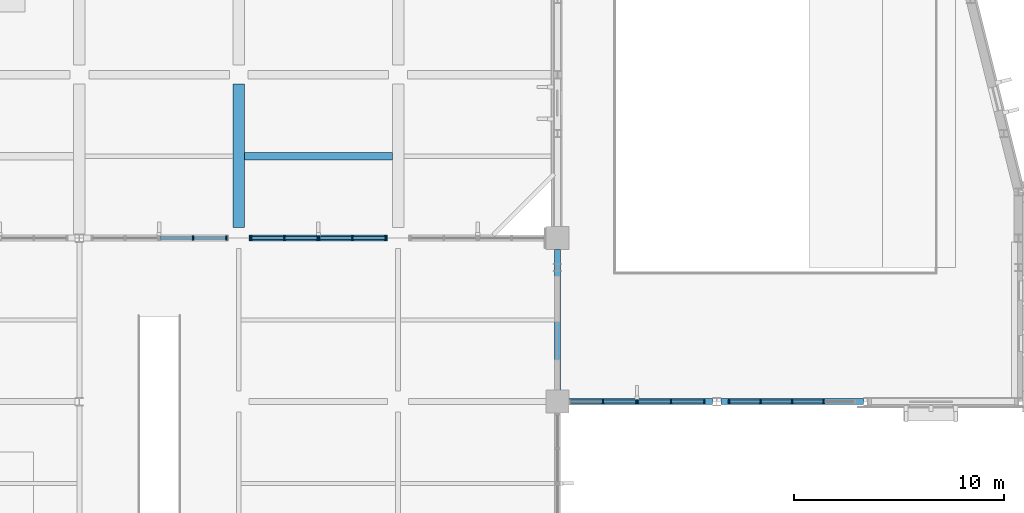
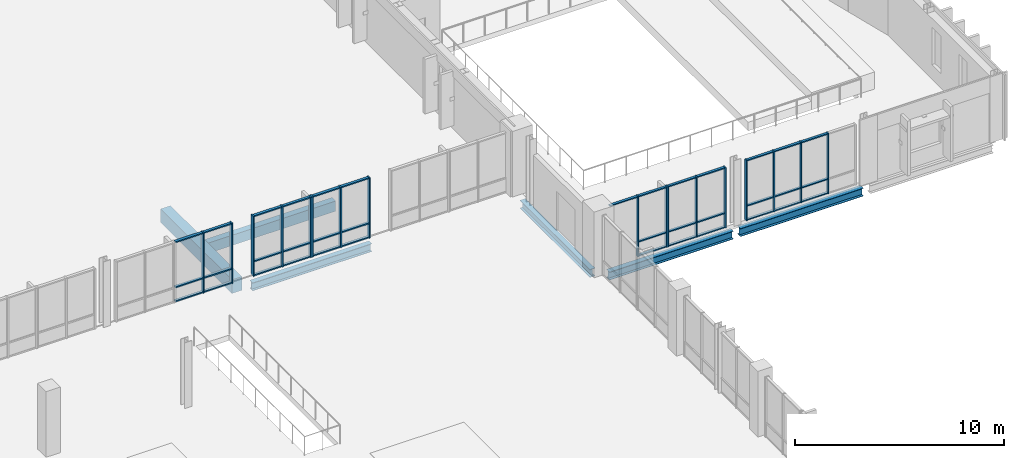
# One storey, part 40 of 85: 54 members, 6 beams, 6 elements without a shape of their own.
"""IFC4 building model written with IfcOpenShell, lengths in metres."""

from ifc_helpers import new_model, si_unit, direction, frame, origin, origin_2d, place, context, subcontext, project, spatial, rectangle, i_section, extrude, material, material_profile, profile_set, type_object, element, aggregate, save


model = new_model("IFC4")

# Units and contexts
model_context = context("Model", 3, precision=1e-05, world=origin(), true_north=direction((0.0, 1.0)))
body_context = subcontext(model_context, "Body", "Model", "MODEL_VIEW")
ifc_project = project(units=[si_unit("LENGTHUNIT", "METRE"), si_unit("AREAUNIT", "SQUARE_METRE"), si_unit("VOLUMEUNIT", "CUBIC_METRE"), si_unit("PLANEANGLEUNIT", "RADIAN"), si_unit("MASSUNIT", "GRAM", prefix="KILO")], contexts=[model_context])

# Site, building, storey
site_placement = place(None, origin())
site = spatial("IfcSite", under=ifc_project, at=site_placement, CompositionType="ELEMENT")
building_placement = place(site_placement, origin())
building = spatial("IfcBuilding", under=site, at=building_placement, Name="Vervanel Yard Central Library", CompositionType="ELEMENT")
storey_placement = place(building_placement, frame((0.0, 0.0, 5.10009765625)))
storey = spatial("IfcBuildingStorey", under=building, at=storey_placement, Name="L01", CompositionType="ELEMENT", Elevation=5.10009765625)

# Beams
ifc_material_1 = material(Name="Concrete C40/50", Category="concrete")
ifc_material_profile_1 = material_profile(ifc_material_1, rectangle(XDim=0.550048828125, YDim=0.800048828125, at=origin_2d()), Name="RC 550x800", Category="concrete")
ifc_profile_set_1 = profile_set([ifc_material_profile_1], Name="Concrete C40/50")
beam_type_1 = type_object("IfcBeamType", Name="Concrete Primary Girder 550x800", PredefinedType="BEAM", material=ifc_profile_set_1)
beam_1_placement = place(storey_placement, frame((130.800048828125, 82.699951171875, -0.655029296875), z_axis=(0.0, 1.0, 0.0), x_axis=(-1.0, 0.0, 0.0)))
element("IfcBeam", 1, at=beam_1_placement, inside=storey, type_object=beam_type_1, Name="L01 Girder CB-02 X=130.8 Y=82.2-90.0", PredefinedType="BEAM", context=body_context, shape_type="SweptSolid", body=[
    extrude(rectangle(XDim=0.550048828125, YDim=0.800048828125, at=origin_2d()), origin(), (0.0, 0.0, 1.0), 6.85009765625),
])
ifc_material_profile_2 = material_profile(ifc_material_1, rectangle(XDim=0.35009765625, YDim=0.60009765625, at=origin_2d()), Name="RC 350x600", Category="concrete")
ifc_profile_set_2 = profile_set([ifc_material_profile_2], Name="Concrete C40/50")
beam_type_2 = type_object("IfcBeamType", Name="Concrete Secondary Joist 350x600", PredefinedType="JOIST", material=ifc_profile_set_2)
beam_2_placement = place(storey_placement, frame((131.074951171875, 86.10009765625, -0.55517578125), z_axis=(1.0, 0.0, 0.0), x_axis=(0.0, 1.0, 0.0)))
element("IfcBeam", 2, at=beam_2_placement, inside=storey, type_object=beam_type_2, Name="L01 Floor Joist CJ-01 Y=86.10 X=130.8-138.4", PredefinedType="JOIST", context=body_context, shape_type="SweptSolid", body=[
    extrude(rectangle(XDim=0.35009765625, YDim=0.60009765625, at=origin_2d()), origin(), (0.0, 0.0, 1.0), 7.050048828125),
])

# Curtain wall, members
ifc_material_2 = material(Name="Thermally broken anodized aluminium 6063-T6", Category="aluminium")
curtain_wall_type_1 = type_object("IfcCurtainWallType", Name="Auditorium Foyer Curtain Wall", PredefinedType="NOTDEFINED", material=ifc_material_2)
curtain_wall_1_placement = place(storey_placement, origin())
curtain_wall_1 = element("IfcCurtainWall", 3, at=curtain_wall_1_placement, inside=storey, type_object=curtain_wall_type_1, Name="L01 Auditorium Foyer Curtain Wall CWR-L01-151", PredefinedType="NOTDEFINED")
ifc_material_profile_3 = material_profile(ifc_material_2, rectangle(XDim=0.06494140625, YDim=0.18994140625, at=origin_2d()), Name="ALU 65x190", Category="aluminium")
ifc_profile_set_3 = profile_set([ifc_material_profile_3], Name="Thermally broken anodized aluminium 6063-T6")
member_type_1 = type_object("IfcMemberType", Name="Curtain Wall Primary Mullion 65x190", PredefinedType="MULLION", material=ifc_profile_set_3)
member_1_placement = place(storey_placement, frame((148.179931640625, 74.39990234375, 0.0), z_axis=(0.0, 0.0, 1.0), x_axis=(1.0, 0.0, 0.0)))
member_1 = element("IfcMember", 4, at=member_1_placement, type_object=member_type_1, Name="CWR-L01-151 Mullion 2", PredefinedType="MULLION", context=body_context, shape_type="SweptSolid", body=[
    extrude(rectangle(XDim=0.06494140625, YDim=0.18994140625, at=origin_2d()), origin(), (0.0, 0.0, 1.0), 3.52978515625),
])
member_2_placement = place(storey_placement, frame((149.767578125, 74.39990234375, 0.0), z_axis=(0.0, 0.0, 1.0), x_axis=(1.0, 0.0, 0.0)))
member_2 = element("IfcMember", 5, at=member_2_placement, type_object=member_type_1, Name="CWR-L01-151 Mullion 3", PredefinedType="MULLION", context=body_context, shape_type="SweptSolid", body=[
    extrude(rectangle(XDim=0.06494140625, YDim=0.18994140625, at=origin_2d()), origin(), (0.0, 0.0, 1.0), 3.52978515625),
])

curtain_wall_2_placement = place(storey_placement, origin())
curtain_wall_2 = element("IfcCurtainWall", 6, at=curtain_wall_2_placement, inside=storey, type_object=curtain_wall_type_1, Name="L01 Auditorium Foyer Curtain Wall CWR-L01-152", PredefinedType="NOTDEFINED")
member_3_placement = place(storey_placement, frame((149.83251953125, 74.39990234375, 0.0), z_axis=(0.0, 0.0, 1.0), x_axis=(1.0, 0.0, 0.0)))
member_3 = element("IfcMember", 7, at=member_3_placement, type_object=member_type_1, Name="CWR-L01-152 Mullion 1", PredefinedType="MULLION", context=body_context, shape_type="SweptSolid", body=[
    extrude(rectangle(XDim=0.06494140625, YDim=0.18994140625, at=origin_2d()), origin(), (0.0, 0.0, 1.0), 3.52978515625),
])
member_4_placement = place(storey_placement, frame((151.419921875, 74.39990234375, 0.0), z_axis=(0.0, 0.0, 1.0), x_axis=(1.0, 0.0, 0.0)))
member_4 = element("IfcMember", 8, at=member_4_placement, type_object=member_type_1, Name="CWR-L01-152 Mullion 2", PredefinedType="MULLION", context=body_context, shape_type="SweptSolid", body=[
    extrude(rectangle(XDim=0.06494140625, YDim=0.18994140625, at=origin_2d()), origin(), (0.0, 0.0, 1.0), 3.52978515625),
])
member_5_placement = place(storey_placement, frame((153.007568359375, 74.39990234375, 0.0), z_axis=(0.0, 0.0, 1.0), x_axis=(1.0, 0.0, 0.0)))
member_5 = element("IfcMember", 9, at=member_5_placement, type_object=member_type_1, Name="CWR-L01-152 Mullion 3", PredefinedType="MULLION", context=body_context, shape_type="SweptSolid", body=[
    extrude(rectangle(XDim=0.06494140625, YDim=0.18994140625, at=origin_2d()), origin(), (0.0, 0.0, 1.0), 3.52978515625),
])

curtain_wall_3_placement = place(storey_placement, origin())
curtain_wall_3 = element("IfcCurtainWall", 10, at=curtain_wall_3_placement, inside=storey, type_object=curtain_wall_type_1, Name="L01 Auditorium Foyer Curtain Wall CWR-L01-153", PredefinedType="NOTDEFINED")
member_6_placement = place(storey_placement, frame((154.1923828125, 74.39990234375, 0.0), z_axis=(0.0, 0.0, 1.0), x_axis=(1.0, 0.0, 0.0)))
member_6 = element("IfcMember", 11, at=member_6_placement, type_object=member_type_1, Name="CWR-L01-153 Mullion 1", PredefinedType="MULLION", context=body_context, shape_type="SweptSolid", body=[
    extrude(rectangle(XDim=0.06494140625, YDim=0.18994140625, at=origin_2d()), origin(), (0.0, 0.0, 1.0), 3.52978515625),
])
member_7_placement = place(storey_placement, frame((155.6962890625, 74.39990234375, 0.0), z_axis=(0.0, 0.0, 1.0), x_axis=(1.0, 0.0, 0.0)))
member_7 = element("IfcMember", 12, at=member_7_placement, type_object=member_type_1, Name="CWR-L01-153 Mullion 2", PredefinedType="MULLION", context=body_context, shape_type="SweptSolid", body=[
    extrude(rectangle(XDim=0.06494140625, YDim=0.18994140625, at=origin_2d()), origin(), (0.0, 0.0, 1.0), 3.52978515625),
])
member_8_placement = place(storey_placement, frame((157.199951171875, 74.39990234375, 0.0), z_axis=(0.0, 0.0, 1.0), x_axis=(1.0, 0.0, 0.0)))
member_8 = element("IfcMember", 13, at=member_8_placement, type_object=member_type_1, Name="CWR-L01-153 Mullion 3", PredefinedType="MULLION", context=body_context, shape_type="SweptSolid", body=[
    extrude(rectangle(XDim=0.06494140625, YDim=0.18994140625, at=origin_2d()), origin(), (0.0, 0.0, 1.0), 3.52978515625),
])
member_9_placement = place(storey_placement, frame((158.703857421875, 74.39990234375, 0.0), z_axis=(0.0, 0.0, 1.0), x_axis=(1.0, 0.0, 0.0)))
member_9 = element("IfcMember", 14, at=member_9_placement, type_object=member_type_1, Name="CWR-L01-153 Mullion 4", PredefinedType="MULLION", context=body_context, shape_type="SweptSolid", body=[
    extrude(rectangle(XDim=0.06494140625, YDim=0.18994140625, at=origin_2d()), origin(), (0.0, 0.0, 1.0), 3.52978515625),
])

# Member
ifc_material_profile_4 = material_profile(ifc_material_2, rectangle(XDim=0.06494140625, YDim=0.139892578125, at=origin_2d()), Name="ALU 65x140", Category="aluminium")
ifc_profile_set_4 = profile_set([ifc_material_profile_4], Name="Thermally broken anodized aluminium 6063-T6")
member_type_2 = type_object("IfcMemberType", Name="Curtain Wall Transom 65x140", PredefinedType="NOTDEFINED", material=ifc_profile_set_4)
member_10_placement = place(storey_placement, frame((146.625, 74.39990234375, 3.497314453125), z_axis=(1.0, 0.0, 0.0), x_axis=(0.0, 0.0, 1.0)))
member_10 = element("IfcMember", 15, at=member_10_placement, type_object=member_type_2, Name="CWR-L01-151 Transom B1-T3", ObjectType="TRANSOM", PredefinedType="USERDEFINED", context=body_context, shape_type="SweptSolid", body=[
    extrude(rectangle(XDim=0.06494140625, YDim=0.139892578125, at=origin_2d()), origin(), (0.0, 0.0, 1.0), 1.5224609375),
])

member_11_placement = place(storey_placement, frame((148.21240234375, 74.39990234375, 0.032470703125), z_axis=(1.0, 0.0, 0.0), x_axis=(0.0, 0.0, 1.0)))
member_11 = element("IfcMember", 16, at=member_11_placement, type_object=member_type_2, Name="CWR-L01-151 Transom B2-T1", ObjectType="TRANSOM", PredefinedType="USERDEFINED", context=body_context, shape_type="SweptSolid", body=[
    extrude(rectangle(XDim=0.06494140625, YDim=0.139892578125, at=origin_2d()), origin(), (0.0, 0.0, 1.0), 1.522705078125),
])

member_12_placement = place(storey_placement, frame((148.21240234375, 74.39990234375, 0.849853515625), z_axis=(1.0, 0.0, 0.0), x_axis=(0.0, 0.0, 1.0)))
member_12 = element("IfcMember", 17, at=member_12_placement, type_object=member_type_2, Name="CWR-L01-151 Transom B2-T2", ObjectType="TRANSOM", PredefinedType="USERDEFINED", context=body_context, shape_type="SweptSolid", body=[
    extrude(rectangle(XDim=0.06494140625, YDim=0.139892578125, at=origin_2d()), origin(), (0.0, 0.0, 1.0), 1.522705078125),
])

member_13_placement = place(storey_placement, frame((148.21240234375, 74.39990234375, 3.497314453125), z_axis=(1.0, 0.0, 0.0), x_axis=(0.0, 0.0, 1.0)))
member_13 = element("IfcMember", 18, at=member_13_placement, type_object=member_type_2, Name="CWR-L01-151 Transom B2-T3", ObjectType="TRANSOM", PredefinedType="USERDEFINED", context=body_context, shape_type="SweptSolid", body=[
    extrude(rectangle(XDim=0.06494140625, YDim=0.139892578125, at=origin_2d()), origin(), (0.0, 0.0, 1.0), 1.522705078125),
])

aggregate(curtain_wall_1, [member_1, member_2, member_10, member_11, member_12, member_13])

member_14_placement = place(storey_placement, frame((149.864990234375, 74.39990234375, 0.032470703125), z_axis=(1.0, 0.0, 0.0), x_axis=(0.0, 0.0, 1.0)))
member_14 = element("IfcMember", 19, at=member_14_placement, type_object=member_type_2, Name="CWR-L01-152 Transom B1-T1", ObjectType="TRANSOM", PredefinedType="USERDEFINED", context=body_context, shape_type="SweptSolid", body=[
    extrude(rectangle(XDim=0.06494140625, YDim=0.139892578125, at=origin_2d()), origin(), (0.0, 0.0, 1.0), 1.5224609375),
])

member_15_placement = place(storey_placement, frame((149.864990234375, 74.39990234375, 0.849853515625), z_axis=(1.0, 0.0, 0.0), x_axis=(0.0, 0.0, 1.0)))
member_15 = element("IfcMember", 20, at=member_15_placement, type_object=member_type_2, Name="CWR-L01-152 Transom B1-T2", ObjectType="TRANSOM", PredefinedType="USERDEFINED", context=body_context, shape_type="SweptSolid", body=[
    extrude(rectangle(XDim=0.06494140625, YDim=0.139892578125, at=origin_2d()), origin(), (0.0, 0.0, 1.0), 1.5224609375),
])

member_16_placement = place(storey_placement, frame((149.864990234375, 74.39990234375, 3.497314453125), z_axis=(1.0, 0.0, 0.0), x_axis=(0.0, 0.0, 1.0)))
member_16 = element("IfcMember", 21, at=member_16_placement, type_object=member_type_2, Name="CWR-L01-152 Transom B1-T3", ObjectType="TRANSOM", PredefinedType="USERDEFINED", context=body_context, shape_type="SweptSolid", body=[
    extrude(rectangle(XDim=0.06494140625, YDim=0.139892578125, at=origin_2d()), origin(), (0.0, 0.0, 1.0), 1.5224609375),
])

member_17_placement = place(storey_placement, frame((151.452392578125, 74.39990234375, 0.032470703125), z_axis=(1.0, 0.0, 0.0), x_axis=(0.0, 0.0, 1.0)))
member_17 = element("IfcMember", 22, at=member_17_placement, type_object=member_type_2, Name="CWR-L01-152 Transom B2-T1", ObjectType="TRANSOM", PredefinedType="USERDEFINED", context=body_context, shape_type="SweptSolid", body=[
    extrude(rectangle(XDim=0.06494140625, YDim=0.139892578125, at=origin_2d()), origin(), (0.0, 0.0, 1.0), 1.522705078125),
])

member_18_placement = place(storey_placement, frame((151.452392578125, 74.39990234375, 0.849853515625), z_axis=(1.0, 0.0, 0.0), x_axis=(0.0, 0.0, 1.0)))
member_18 = element("IfcMember", 23, at=member_18_placement, type_object=member_type_2, Name="CWR-L01-152 Transom B2-T2", ObjectType="TRANSOM", PredefinedType="USERDEFINED", context=body_context, shape_type="SweptSolid", body=[
    extrude(rectangle(XDim=0.06494140625, YDim=0.139892578125, at=origin_2d()), origin(), (0.0, 0.0, 1.0), 1.522705078125),
])

member_19_placement = place(storey_placement, frame((151.452392578125, 74.39990234375, 3.497314453125), z_axis=(1.0, 0.0, 0.0), x_axis=(0.0, 0.0, 1.0)))
member_19 = element("IfcMember", 24, at=member_19_placement, type_object=member_type_2, Name="CWR-L01-152 Transom B2-T3", ObjectType="TRANSOM", PredefinedType="USERDEFINED", context=body_context, shape_type="SweptSolid", body=[
    extrude(rectangle(XDim=0.06494140625, YDim=0.139892578125, at=origin_2d()), origin(), (0.0, 0.0, 1.0), 1.522705078125),
])

aggregate(curtain_wall_2, [member_3, member_4, member_5, member_14, member_15, member_16, member_17, member_18, member_19])

member_20_placement = place(storey_placement, frame((154.22509765625, 74.39990234375, 0.032470703125), z_axis=(1.0, 0.0, 0.0), x_axis=(0.0, 0.0, 1.0)))
member_20 = element("IfcMember", 25, at=member_20_placement, type_object=member_type_2, Name="CWR-L01-153 Transom B1-T1", ObjectType="TRANSOM", PredefinedType="USERDEFINED", context=body_context, shape_type="SweptSolid", body=[
    extrude(rectangle(XDim=0.06494140625, YDim=0.139892578125, at=origin_2d()), origin(), (0.0, 0.0, 1.0), 1.438720703125),
])

member_21_placement = place(storey_placement, frame((154.22509765625, 74.39990234375, 0.849853515625), z_axis=(1.0, 0.0, 0.0), x_axis=(0.0, 0.0, 1.0)))
member_21 = element("IfcMember", 26, at=member_21_placement, type_object=member_type_2, Name="CWR-L01-153 Transom B1-T2", ObjectType="TRANSOM", PredefinedType="USERDEFINED", context=body_context, shape_type="SweptSolid", body=[
    extrude(rectangle(XDim=0.06494140625, YDim=0.139892578125, at=origin_2d()), origin(), (0.0, 0.0, 1.0), 1.438720703125),
])

member_22_placement = place(storey_placement, frame((154.22509765625, 74.39990234375, 3.497314453125), z_axis=(1.0, 0.0, 0.0), x_axis=(0.0, 0.0, 1.0)))
member_22 = element("IfcMember", 27, at=member_22_placement, type_object=member_type_2, Name="CWR-L01-153 Transom B1-T3", ObjectType="TRANSOM", PredefinedType="USERDEFINED", context=body_context, shape_type="SweptSolid", body=[
    extrude(rectangle(XDim=0.06494140625, YDim=0.139892578125, at=origin_2d()), origin(), (0.0, 0.0, 1.0), 1.438720703125),
])

member_23_placement = place(storey_placement, frame((155.728759765625, 74.39990234375, 0.032470703125), z_axis=(1.0, 0.0, 0.0), x_axis=(0.0, 0.0, 1.0)))
member_23 = element("IfcMember", 28, at=member_23_placement, type_object=member_type_2, Name="CWR-L01-153 Transom B2-T1", ObjectType="TRANSOM", PredefinedType="USERDEFINED", context=body_context, shape_type="SweptSolid", body=[
    extrude(rectangle(XDim=0.06494140625, YDim=0.139892578125, at=origin_2d()), origin(), (0.0, 0.0, 1.0), 1.438720703125),
])

member_24_placement = place(storey_placement, frame((155.728759765625, 74.39990234375, 0.849853515625), z_axis=(1.0, 0.0, 0.0), x_axis=(0.0, 0.0, 1.0)))
member_24 = element("IfcMember", 29, at=member_24_placement, type_object=member_type_2, Name="CWR-L01-153 Transom B2-T2", ObjectType="TRANSOM", PredefinedType="USERDEFINED", context=body_context, shape_type="SweptSolid", body=[
    extrude(rectangle(XDim=0.06494140625, YDim=0.139892578125, at=origin_2d()), origin(), (0.0, 0.0, 1.0), 1.438720703125),
])

member_25_placement = place(storey_placement, frame((155.728759765625, 74.39990234375, 3.497314453125), z_axis=(1.0, 0.0, 0.0), x_axis=(0.0, 0.0, 1.0)))
member_25 = element("IfcMember", 30, at=member_25_placement, type_object=member_type_2, Name="CWR-L01-153 Transom B2-T3", ObjectType="TRANSOM", PredefinedType="USERDEFINED", context=body_context, shape_type="SweptSolid", body=[
    extrude(rectangle(XDim=0.06494140625, YDim=0.139892578125, at=origin_2d()), origin(), (0.0, 0.0, 1.0), 1.438720703125),
])

member_26_placement = place(storey_placement, frame((157.232421875, 74.39990234375, 0.032470703125), z_axis=(1.0, 0.0, 0.0), x_axis=(0.0, 0.0, 1.0)))
member_26 = element("IfcMember", 31, at=member_26_placement, type_object=member_type_2, Name="CWR-L01-153 Transom B3-T1", ObjectType="TRANSOM", PredefinedType="USERDEFINED", context=body_context, shape_type="SweptSolid", body=[
    extrude(rectangle(XDim=0.06494140625, YDim=0.139892578125, at=origin_2d()), origin(), (0.0, 0.0, 1.0), 1.438720703125),
])

member_27_placement = place(storey_placement, frame((157.232421875, 74.39990234375, 0.849853515625), z_axis=(1.0, 0.0, 0.0), x_axis=(0.0, 0.0, 1.0)))
member_27 = element("IfcMember", 32, at=member_27_placement, type_object=member_type_2, Name="CWR-L01-153 Transom B3-T2", ObjectType="TRANSOM", PredefinedType="USERDEFINED", context=body_context, shape_type="SweptSolid", body=[
    extrude(rectangle(XDim=0.06494140625, YDim=0.139892578125, at=origin_2d()), origin(), (0.0, 0.0, 1.0), 1.438720703125),
])

member_28_placement = place(storey_placement, frame((157.232421875, 74.39990234375, 3.497314453125), z_axis=(1.0, 0.0, 0.0), x_axis=(0.0, 0.0, 1.0)))
member_28 = element("IfcMember", 33, at=member_28_placement, type_object=member_type_2, Name="CWR-L01-153 Transom B3-T3", ObjectType="TRANSOM", PredefinedType="USERDEFINED", context=body_context, shape_type="SweptSolid", body=[
    extrude(rectangle(XDim=0.06494140625, YDim=0.139892578125, at=origin_2d()), origin(), (0.0, 0.0, 1.0), 1.438720703125),
])

aggregate(curtain_wall_3, [member_6, member_7, member_8, member_9, member_20, member_21, member_22, member_23, member_24, member_25, member_26, member_27, member_28])

# Curtain wall, members
curtain_wall_type_2 = type_object("IfcCurtainWallType", Name="Reading Hall Full-Height Curtain Wall", PredefinedType="NOTDEFINED", material=ifc_material_2)
curtain_wall_4_placement = place(storey_placement, origin())
curtain_wall_4 = element("IfcCurtainWall", 34, at=curtain_wall_4_placement, inside=storey, type_object=curtain_wall_type_2, Name="L01 Reading Hall Full-Height Curtain Wall CWR-L01-091", PredefinedType="NOTDEFINED")
ifc_material_profile_5 = material_profile(ifc_material_2, rectangle(XDim=0.070068359375, YDim=0.219970703125, at=origin_2d()), Name="ALU 70x220", Category="aluminium")
ifc_profile_set_5 = profile_set([ifc_material_profile_5], Name="Thermally broken anodized aluminium 6063-T6")
member_type_3 = type_object("IfcMemberType", Name="Reading Hall Deep Mullion 70x220", PredefinedType="MULLION", material=ifc_profile_set_5)
member_29_placement = place(storey_placement, frame((128.6201171875, 82.199951171875, 0.0), z_axis=(0.0, 0.0, 1.0), x_axis=(1.0, 0.0, 0.0)))
member_29 = element("IfcMember", 35, at=member_29_placement, type_object=member_type_3, Name="CWR-L01-091 Mullion 2", PredefinedType="MULLION", context=body_context, shape_type="SweptSolid", body=[
    extrude(rectangle(XDim=0.070068359375, YDim=0.219970703125, at=origin_2d()), origin(), (0.0, 0.0, 1.0), 3.52978515625),
])
member_30_placement = place(storey_placement, frame((130.205078125, 82.199951171875, 0.0), z_axis=(0.0, 0.0, 1.0), x_axis=(1.0, 0.0, 0.0)))
member_30 = element("IfcMember", 36, at=member_30_placement, type_object=member_type_3, Name="CWR-L01-091 Mullion 3", PredefinedType="MULLION", context=body_context, shape_type="SweptSolid", body=[
    extrude(rectangle(XDim=0.070068359375, YDim=0.219970703125, at=origin_2d()), origin(), (0.0, 0.0, 1.0), 3.52978515625),
])

curtain_wall_5_placement = place(storey_placement, origin())
curtain_wall_5 = element("IfcCurtainWall", 37, at=curtain_wall_5_placement, inside=storey, type_object=curtain_wall_type_2, Name="L01 Reading Hall Full-Height Curtain Wall CWR-L01-092", PredefinedType="NOTDEFINED")
member_31_placement = place(storey_placement, frame((131.39501953125, 82.199951171875, 0.0), z_axis=(0.0, 0.0, 1.0), x_axis=(1.0, 0.0, 0.0)))
member_31 = element("IfcMember", 38, at=member_31_placement, type_object=member_type_3, Name="CWR-L01-092 Mullion 1", PredefinedType="MULLION", context=body_context, shape_type="SweptSolid", body=[
    extrude(rectangle(XDim=0.070068359375, YDim=0.219970703125, at=origin_2d()), origin(), (0.0, 0.0, 1.0), 3.52978515625),
])
member_32_placement = place(storey_placement, frame((132.97998046875, 82.199951171875, 0.0), z_axis=(0.0, 0.0, 1.0), x_axis=(1.0, 0.0, 0.0)))
member_32 = element("IfcMember", 39, at=member_32_placement, type_object=member_type_3, Name="CWR-L01-092 Mullion 2", PredefinedType="MULLION", context=body_context, shape_type="SweptSolid", body=[
    extrude(rectangle(XDim=0.070068359375, YDim=0.219970703125, at=origin_2d()), origin(), (0.0, 0.0, 1.0), 3.52978515625),
])
member_33_placement = place(storey_placement, frame((134.56494140625, 82.199951171875, 0.0), z_axis=(0.0, 0.0, 1.0), x_axis=(1.0, 0.0, 0.0)))
member_33 = element("IfcMember", 40, at=member_33_placement, type_object=member_type_3, Name="CWR-L01-092 Mullion 3", PredefinedType="MULLION", context=body_context, shape_type="SweptSolid", body=[
    extrude(rectangle(XDim=0.070068359375, YDim=0.219970703125, at=origin_2d()), origin(), (0.0, 0.0, 1.0), 3.52978515625),
])

curtain_wall_6_placement = place(storey_placement, origin())
curtain_wall_6 = element("IfcCurtainWall", 41, at=curtain_wall_6_placement, inside=storey, type_object=curtain_wall_type_2, Name="L01 Reading Hall Full-Height Curtain Wall CWR-L01-093", PredefinedType="NOTDEFINED")
member_34_placement = place(storey_placement, frame((134.635009765625, 82.199951171875, 0.0), z_axis=(0.0, 0.0, 1.0), x_axis=(1.0, 0.0, 0.0)))
member_34 = element("IfcMember", 42, at=member_34_placement, type_object=member_type_3, Name="CWR-L01-093 Mullion 1", PredefinedType="MULLION", context=body_context, shape_type="SweptSolid", body=[
    extrude(rectangle(XDim=0.070068359375, YDim=0.219970703125, at=origin_2d()), origin(), (0.0, 0.0, 1.0), 3.52978515625),
])
member_35_placement = place(storey_placement, frame((136.219970703125, 82.199951171875, 0.0), z_axis=(0.0, 0.0, 1.0), x_axis=(1.0, 0.0, 0.0)))
member_35 = element("IfcMember", 43, at=member_35_placement, type_object=member_type_3, Name="CWR-L01-093 Mullion 2", PredefinedType="MULLION", context=body_context, shape_type="SweptSolid", body=[
    extrude(rectangle(XDim=0.070068359375, YDim=0.219970703125, at=origin_2d()), origin(), (0.0, 0.0, 1.0), 3.52978515625),
])
member_36_placement = place(storey_placement, frame((137.804931640625, 82.199951171875, 0.0), z_axis=(0.0, 0.0, 1.0), x_axis=(1.0, 0.0, 0.0)))
member_36 = element("IfcMember", 44, at=member_36_placement, type_object=member_type_3, Name="CWR-L01-093 Mullion 3", PredefinedType="MULLION", context=body_context, shape_type="SweptSolid", body=[
    extrude(rectangle(XDim=0.070068359375, YDim=0.219970703125, at=origin_2d()), origin(), (0.0, 0.0, 1.0), 3.52978515625),
])

# Member
ifc_material_profile_6 = material_profile(ifc_material_2, rectangle(XDim=0.070068359375, YDim=0.14990234375, at=origin_2d()), Name="ALU 70x150", Category="aluminium")
ifc_profile_set_6 = profile_set([ifc_material_profile_6], Name="Thermally broken anodized aluminium 6063-T6")
member_type_4 = type_object("IfcMemberType", Name="Reading Hall Deep Transom 70x150", PredefinedType="NOTDEFINED", material=ifc_profile_set_6)
member_37_placement = place(storey_placement, frame((127.070068359375, 82.199951171875, 0.034912109375), z_axis=(1.0, 0.0, 0.0), x_axis=(0.0, 0.0, 1.0)))
member_37 = element("IfcMember", 45, at=member_37_placement, type_object=member_type_4, Name="CWR-L01-091 Transom B1-T1", ObjectType="TRANSOM", PredefinedType="USERDEFINED", context=body_context, shape_type="SweptSolid", body=[
    extrude(rectangle(XDim=0.070068359375, YDim=0.14990234375, at=origin_2d()), origin(), (0.0, 0.0, 1.0), 1.514892578125),
])

member_38_placement = place(storey_placement, frame((127.070068359375, 82.199951171875, 0.849853515625), z_axis=(1.0, 0.0, 0.0), x_axis=(0.0, 0.0, 1.0)))
member_38 = element("IfcMember", 46, at=member_38_placement, type_object=member_type_4, Name="CWR-L01-091 Transom B1-T2", ObjectType="TRANSOM", PredefinedType="USERDEFINED", context=body_context, shape_type="SweptSolid", body=[
    extrude(rectangle(XDim=0.070068359375, YDim=0.14990234375, at=origin_2d()), origin(), (0.0, 0.0, 1.0), 1.514892578125),
])

member_39_placement = place(storey_placement, frame((127.070068359375, 82.199951171875, 3.494873046875), z_axis=(1.0, 0.0, 0.0), x_axis=(0.0, 0.0, 1.0)))
member_39 = element("IfcMember", 47, at=member_39_placement, type_object=member_type_4, Name="CWR-L01-091 Transom B1-T3", ObjectType="TRANSOM", PredefinedType="USERDEFINED", context=body_context, shape_type="SweptSolid", body=[
    extrude(rectangle(XDim=0.070068359375, YDim=0.14990234375, at=origin_2d()), origin(), (0.0, 0.0, 1.0), 1.514892578125),
])

member_40_placement = place(storey_placement, frame((128.655029296875, 82.199951171875, 0.034912109375), z_axis=(1.0, 0.0, 0.0), x_axis=(0.0, 0.0, 1.0)))
member_40 = element("IfcMember", 48, at=member_40_placement, type_object=member_type_4, Name="CWR-L01-091 Transom B2-T1", ObjectType="TRANSOM", PredefinedType="USERDEFINED", context=body_context, shape_type="SweptSolid", body=[
    extrude(rectangle(XDim=0.070068359375, YDim=0.14990234375, at=origin_2d()), origin(), (0.0, 0.0, 1.0), 1.514892578125),
])

member_41_placement = place(storey_placement, frame((128.655029296875, 82.199951171875, 0.849853515625), z_axis=(1.0, 0.0, 0.0), x_axis=(0.0, 0.0, 1.0)))
member_41 = element("IfcMember", 49, at=member_41_placement, type_object=member_type_4, Name="CWR-L01-091 Transom B2-T2", ObjectType="TRANSOM", PredefinedType="USERDEFINED", context=body_context, shape_type="SweptSolid", body=[
    extrude(rectangle(XDim=0.070068359375, YDim=0.14990234375, at=origin_2d()), origin(), (0.0, 0.0, 1.0), 1.514892578125),
])

member_42_placement = place(storey_placement, frame((128.655029296875, 82.199951171875, 3.494873046875), z_axis=(1.0, 0.0, 0.0), x_axis=(0.0, 0.0, 1.0)))
member_42 = element("IfcMember", 50, at=member_42_placement, type_object=member_type_4, Name="CWR-L01-091 Transom B2-T3", ObjectType="TRANSOM", PredefinedType="USERDEFINED", context=body_context, shape_type="SweptSolid", body=[
    extrude(rectangle(XDim=0.070068359375, YDim=0.14990234375, at=origin_2d()), origin(), (0.0, 0.0, 1.0), 1.514892578125),
])

aggregate(curtain_wall_4, [member_29, member_30, member_37, member_38, member_39, member_40, member_41, member_42])

member_43_placement = place(storey_placement, frame((131.429931640625, 82.199951171875, 0.034912109375), z_axis=(1.0, 0.0, 0.0), x_axis=(0.0, 0.0, 1.0)))
member_43 = element("IfcMember", 51, at=member_43_placement, type_object=member_type_4, Name="CWR-L01-092 Transom B1-T1", ObjectType="TRANSOM", PredefinedType="USERDEFINED", context=body_context, shape_type="SweptSolid", body=[
    extrude(rectangle(XDim=0.070068359375, YDim=0.14990234375, at=origin_2d()), origin(), (0.0, 0.0, 1.0), 1.51513671875),
])

member_44_placement = place(storey_placement, frame((131.429931640625, 82.199951171875, 0.849853515625), z_axis=(1.0, 0.0, 0.0), x_axis=(0.0, 0.0, 1.0)))
member_44 = element("IfcMember", 52, at=member_44_placement, type_object=member_type_4, Name="CWR-L01-092 Transom B1-T2", ObjectType="TRANSOM", PredefinedType="USERDEFINED", context=body_context, shape_type="SweptSolid", body=[
    extrude(rectangle(XDim=0.070068359375, YDim=0.14990234375, at=origin_2d()), origin(), (0.0, 0.0, 1.0), 1.51513671875),
])

member_45_placement = place(storey_placement, frame((131.429931640625, 82.199951171875, 3.494873046875), z_axis=(1.0, 0.0, 0.0), x_axis=(0.0, 0.0, 1.0)))
member_45 = element("IfcMember", 53, at=member_45_placement, type_object=member_type_4, Name="CWR-L01-092 Transom B1-T3", ObjectType="TRANSOM", PredefinedType="USERDEFINED", context=body_context, shape_type="SweptSolid", body=[
    extrude(rectangle(XDim=0.070068359375, YDim=0.14990234375, at=origin_2d()), origin(), (0.0, 0.0, 1.0), 1.51513671875),
])

member_46_placement = place(storey_placement, frame((133.014892578125, 82.199951171875, 0.034912109375), z_axis=(1.0, 0.0, 0.0), x_axis=(0.0, 0.0, 1.0)))
member_46 = element("IfcMember", 54, at=member_46_placement, type_object=member_type_4, Name="CWR-L01-092 Transom B2-T1", ObjectType="TRANSOM", PredefinedType="USERDEFINED", context=body_context, shape_type="SweptSolid", body=[
    extrude(rectangle(XDim=0.070068359375, YDim=0.14990234375, at=origin_2d()), origin(), (0.0, 0.0, 1.0), 1.51513671875),
])

member_47_placement = place(storey_placement, frame((133.014892578125, 82.199951171875, 0.849853515625), z_axis=(1.0, 0.0, 0.0), x_axis=(0.0, 0.0, 1.0)))
member_47 = element("IfcMember", 55, at=member_47_placement, type_object=member_type_4, Name="CWR-L01-092 Transom B2-T2", ObjectType="TRANSOM", PredefinedType="USERDEFINED", context=body_context, shape_type="SweptSolid", body=[
    extrude(rectangle(XDim=0.070068359375, YDim=0.14990234375, at=origin_2d()), origin(), (0.0, 0.0, 1.0), 1.51513671875),
])

member_48_placement = place(storey_placement, frame((133.014892578125, 82.199951171875, 3.494873046875), z_axis=(1.0, 0.0, 0.0), x_axis=(0.0, 0.0, 1.0)))
member_48 = element("IfcMember", 56, at=member_48_placement, type_object=member_type_4, Name="CWR-L01-092 Transom B2-T3", ObjectType="TRANSOM", PredefinedType="USERDEFINED", context=body_context, shape_type="SweptSolid", body=[
    extrude(rectangle(XDim=0.070068359375, YDim=0.14990234375, at=origin_2d()), origin(), (0.0, 0.0, 1.0), 1.51513671875),
])

aggregate(curtain_wall_5, [member_31, member_32, member_33, member_43, member_44, member_45, member_46, member_47, member_48])

member_49_placement = place(storey_placement, frame((134.669921875, 82.199951171875, 0.034912109375), z_axis=(1.0, 0.0, 0.0), x_axis=(0.0, 0.0, 1.0)))
member_49 = element("IfcMember", 57, at=member_49_placement, type_object=member_type_4, Name="CWR-L01-093 Transom B1-T1", ObjectType="TRANSOM", PredefinedType="USERDEFINED", context=body_context, shape_type="SweptSolid", body=[
    extrude(rectangle(XDim=0.070068359375, YDim=0.14990234375, at=origin_2d()), origin(), (0.0, 0.0, 1.0), 1.51513671875),
])

member_50_placement = place(storey_placement, frame((134.669921875, 82.199951171875, 0.849853515625), z_axis=(1.0, 0.0, 0.0), x_axis=(0.0, 0.0, 1.0)))
member_50 = element("IfcMember", 58, at=member_50_placement, type_object=member_type_4, Name="CWR-L01-093 Transom B1-T2", ObjectType="TRANSOM", PredefinedType="USERDEFINED", context=body_context, shape_type="SweptSolid", body=[
    extrude(rectangle(XDim=0.070068359375, YDim=0.14990234375, at=origin_2d()), origin(), (0.0, 0.0, 1.0), 1.51513671875),
])

member_51_placement = place(storey_placement, frame((134.669921875, 82.199951171875, 3.494873046875), z_axis=(1.0, 0.0, 0.0), x_axis=(0.0, 0.0, 1.0)))
member_51 = element("IfcMember", 59, at=member_51_placement, type_object=member_type_4, Name="CWR-L01-093 Transom B1-T3", ObjectType="TRANSOM", PredefinedType="USERDEFINED", context=body_context, shape_type="SweptSolid", body=[
    extrude(rectangle(XDim=0.070068359375, YDim=0.14990234375, at=origin_2d()), origin(), (0.0, 0.0, 1.0), 1.51513671875),
])

member_52_placement = place(storey_placement, frame((136.2548828125, 82.199951171875, 0.034912109375), z_axis=(1.0, 0.0, 0.0), x_axis=(0.0, 0.0, 1.0)))
member_52 = element("IfcMember", 60, at=member_52_placement, type_object=member_type_4, Name="CWR-L01-093 Transom B2-T1", ObjectType="TRANSOM", PredefinedType="USERDEFINED", context=body_context, shape_type="SweptSolid", body=[
    extrude(rectangle(XDim=0.070068359375, YDim=0.14990234375, at=origin_2d()), origin(), (0.0, 0.0, 1.0), 1.51513671875),
])

member_53_placement = place(storey_placement, frame((136.2548828125, 82.199951171875, 0.849853515625), z_axis=(1.0, 0.0, 0.0), x_axis=(0.0, 0.0, 1.0)))
member_53 = element("IfcMember", 61, at=member_53_placement, type_object=member_type_4, Name="CWR-L01-093 Transom B2-T2", ObjectType="TRANSOM", PredefinedType="USERDEFINED", context=body_context, shape_type="SweptSolid", body=[
    extrude(rectangle(XDim=0.070068359375, YDim=0.14990234375, at=origin_2d()), origin(), (0.0, 0.0, 1.0), 1.51513671875),
])

member_54_placement = place(storey_placement, frame((136.2548828125, 82.199951171875, 3.494873046875), z_axis=(1.0, 0.0, 0.0), x_axis=(0.0, 0.0, 1.0)))
member_54 = element("IfcMember", 62, at=member_54_placement, type_object=member_type_4, Name="CWR-L01-093 Transom B2-T3", ObjectType="TRANSOM", PredefinedType="USERDEFINED", context=body_context, shape_type="SweptSolid", body=[
    extrude(rectangle(XDim=0.070068359375, YDim=0.14990234375, at=origin_2d()), origin(), (0.0, 0.0, 1.0), 1.51513671875),
])

aggregate(curtain_wall_6, [member_34, member_35, member_36, member_49, member_50, member_51, member_52, member_53, member_54])

# Beams
ifc_material_3 = material(Name="Steel ASTM A992 Grade 50", Category="steel")
ifc_material_profile_7 = material_profile(ifc_material_3, i_section(OverallWidth=0.281982421875, OverallDepth=0.46728515625, WebThickness=0.01220703125, FlangeThickness=0.01953125, at=origin_2d()), Name="W18X86", Category="steel")
ifc_profile_set_7 = profile_set([ifc_material_profile_7], Name="Steel ASTM A992 Grade 50")
beam_type_3 = type_object("IfcBeamType", Name="Steel Spandrel Beam W18X86", PredefinedType="SPANDREL", material=ifc_profile_set_7)
beam_3_placement = place(storey_placement, frame((146.550048828125, 74.39990234375, -0.52880859375), z_axis=(1.0, 0.0, 0.0), x_axis=(0.0, 1.0, 0.0)))
element("IfcBeam", 63, at=beam_3_placement, inside=storey, type_object=beam_type_3, Name="L01 Girder SP-02 Y=74.4 X=146.0-153.6", PredefinedType="SPANDREL", context=body_context, shape_type="SweptSolid", body=[
    extrude(i_section(OverallWidth=0.281982421875, OverallDepth=0.46728515625, WebThickness=0.01220703125, FlangeThickness=0.01953125, at=origin_2d()), origin(), (0.0, 0.0, 1.0), 6.851806640625),
])
beam_4_placement = place(storey_placement, frame((153.798095703125, 74.39990234375, -0.52880859375), z_axis=(1.0, 0.0, 0.0), x_axis=(0.0, 1.0, 0.0)))
element("IfcBeam", 64, at=beam_4_placement, inside=storey, type_object=beam_type_3, Name="L01 Girder SP-02 Y=74.4 X=153.6-160.8", PredefinedType="SPANDREL", context=body_context, shape_type="SweptSolid", body=[
    extrude(i_section(OverallWidth=0.281982421875, OverallDepth=0.46728515625, WebThickness=0.01220703125, FlangeThickness=0.01953125, at=origin_2d()), origin(), (0.0, 0.0, 1.0), 6.8037109375),
])
beam_5_placement = place(storey_placement, frame((131.300048828125, 82.199951171875, -0.558837890625), z_axis=(1.0, 0.0, 0.0), x_axis=(0.0, 1.0, 0.0)))
element("IfcBeam", 65, at=beam_5_placement, inside=storey, type_object=beam_type_3, Name="L01 Girder SP-02 Y=82.2 X=130.8-138.4", PredefinedType="SPANDREL", context=body_context, shape_type="SweptSolid", body=[
    extrude(i_section(OverallWidth=0.281982421875, OverallDepth=0.46728515625, WebThickness=0.01220703125, FlangeThickness=0.01953125, at=origin_2d()), origin(), (0.0, 0.0, 1.0), 6.599853515625),
])
beam_6_placement = place(storey_placement, frame((146.0, 74.949951171875, -0.558837890625), z_axis=(0.0, 1.0, 0.0), x_axis=(-1.0, 0.0, 0.0)))
element("IfcBeam", 66, at=beam_6_placement, inside=storey, type_object=beam_type_3, Name="L01 Girder SP-02 X=146.0 Y=74.4-82.2", PredefinedType="SPANDREL", context=body_context, shape_type="SweptSolid", body=[
    extrude(i_section(OverallWidth=0.281982421875, OverallDepth=0.46728515625, WebThickness=0.01220703125, FlangeThickness=0.01953125, at=origin_2d()), origin(), (0.0, 0.0, 1.0), 6.699951171875),
])

save(model, "model.ifc")
